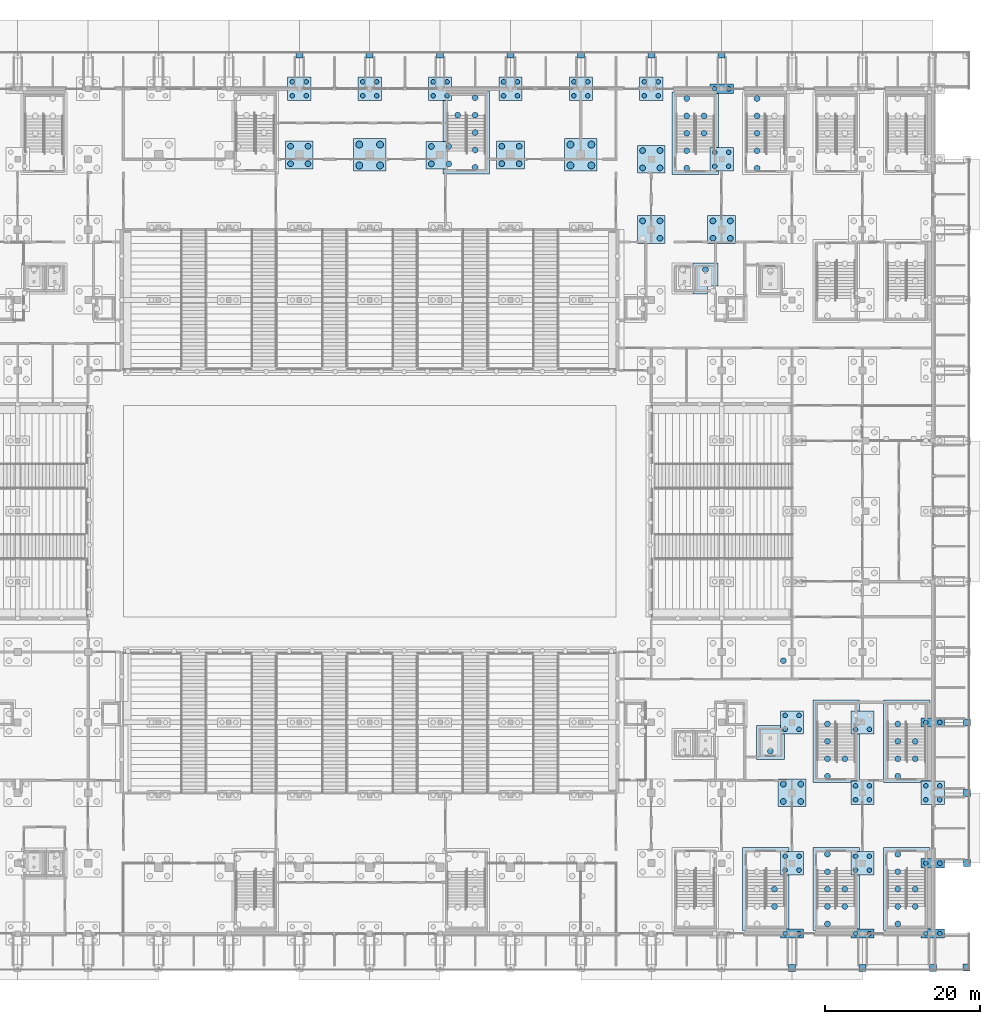
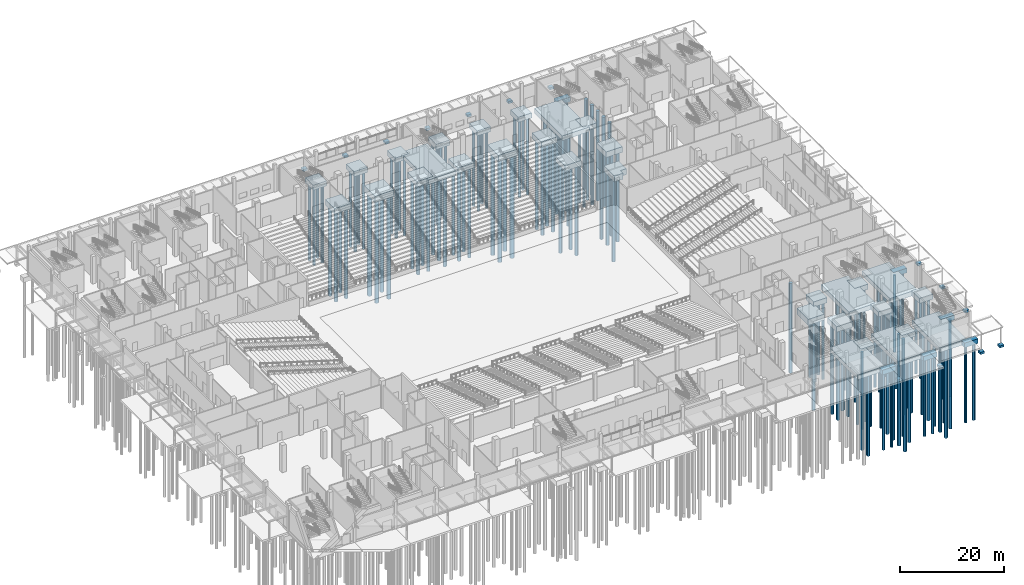
# One storey, part 5 of 129: 145 piles, 51 footings.
"""IFC4 building model written with IfcOpenShell, lengths in metres."""

from ifc_helpers import new_model, si_unit, direction, frame, origin, origin_2d, place, context, subcontext, project, spatial, polyline, rectangle, circle, outline, extrude, material, material_profile, profile_set, type_object, element, save


model = new_model("IFC4")

# Units and contexts
model_context = context("Model", 3, precision=1e-05, world=origin(), true_north=direction((0.0, 1.0)))
body_context = subcontext(model_context, "Body", "Model", "MODEL_VIEW")
ifc_project = project(units=[si_unit("LENGTHUNIT", "METRE"), si_unit("AREAUNIT", "SQUARE_METRE"), si_unit("VOLUMEUNIT", "CUBIC_METRE"), si_unit("PLANEANGLEUNIT", "RADIAN"), si_unit("MASSUNIT", "GRAM", prefix="KILO")], contexts=[model_context])

# Site, building, storey
site_placement = place(None, origin())
site = spatial("IfcSite", under=ifc_project, at=site_placement, CompositionType="ELEMENT")
building_placement = place(site_placement, origin())
building = spatial("IfcBuilding", under=site, at=building_placement, Name="Shirokan Park Arena", CompositionType="ELEMENT")
storey_placement = place(building_placement, origin())
storey = spatial("IfcBuildingStorey", under=building, at=storey_placement, Name="L00", CompositionType="ELEMENT", Elevation=0.0)

# Piles
ifc_material = material(Name="Concrete C30", Category="concrete")
ifc_material_profile_1 = material_profile(ifc_material, circle(Radius=0.300048828125, at=origin_2d()), Name="D600")
ifc_profile_set_1 = profile_set([ifc_material_profile_1], Name="Concrete C30")
pile_type_1 = type_object("IfcPileType", Name="Bored pile 600", PredefinedType="BORED", material=ifc_profile_set_1)
for number, where, z_axis, x_axis, name in (
    (1, (62.800048828125, 108.300048828125, -1.60009765625), (0.0, 0.0, -1.0), (1.0, 0.0, 0.0), "Bored pile 8N 1"),
    (2, (62.800048828125, 110.10009765625, -1.60009765625), (0.0, 0.0, -1.0), (1.0, 0.0, 0.0), "Bored pile 8N 2"),
    (3, (64.60009765625, 108.300048828125, -1.60009765625), (0.0, 0.0, -1.0), (1.0, 0.0, 0.0), "Bored pile 8N 3"),
    (4, (64.60009765625, 110.10009765625, -1.60009765625), (0.0, 0.0, -1.0), (1.0, 0.0, 0.0), "Bored pile 8N 4"),
    (5, (71.89990234375, 108.300048828125, -1.60009765625), (0.0, 0.0, -1.0), (1.0, 0.0, 0.0), "Bored pile 9N 1"),
    (6, (71.89990234375, 110.10009765625, -1.60009765625), (0.0, 0.0, -1.0), (1.0, 0.0, 0.0), "Bored pile 9N 2"),
    (7, (73.699951171875, 108.300048828125, -1.60009765625), (0.0, 0.0, -1.0), (1.0, 0.0, 0.0), "Bored pile 9N 3"),
    (8, (73.699951171875, 110.10009765625, -1.60009765625), (0.0, 0.0, -1.0), (1.0, 0.0, 0.0), "Bored pile 9N 4"),
    (9, (81.0, 108.300048828125, -1.60009765625), (0.0, 0.0, -1.0), (1.0, 0.0, 0.0), "Bored pile 10N 1"),
    (10, (81.0, 110.10009765625, -1.60009765625), (0.0, 0.0, -1.0), (1.0, 0.0, 0.0), "Bored pile 10N 2"),
    (11, (82.800048828125, 108.300048828125, -1.60009765625), (0.0, 0.0, -1.0), (1.0, 0.0, 0.0), "Bored pile 10N 3"),
    (12, (82.800048828125, 110.10009765625, -1.60009765625), (0.0, 0.0, -1.0), (1.0, 0.0, 0.0), "Bored pile 10N 4"),
    (13, (90.10009765625, 108.300048828125, -1.60009765625), (0.0, 0.0, -1.0), (1.0, 0.0, 0.0), "Bored pile 11N 1"),
    (14, (90.10009765625, 110.10009765625, -1.60009765625), (0.0, 0.0, -1.0), (1.0, 0.0, 0.0), "Bored pile 11N 2"),
    (15, (91.89990234375, 108.300048828125, -1.60009765625), (0.0, 0.0, -1.0), (1.0, 0.0, 0.0), "Bored pile 11N 3"),
    (16, (91.89990234375, 110.10009765625, -1.60009765625), (0.0, 0.0, -1.0), (1.0, 0.0, 0.0), "Bored pile 11N 4"),
    (17, (99.199951171875, 108.300048828125, -1.60009765625), (0.0, 0.0, -1.0), (1.0, 0.0, 0.0), "Bored pile 12N 1"),
    (18, (99.199951171875, 110.10009765625, -1.60009765625), (0.0, 0.0, -1.0), (1.0, 0.0, 0.0), "Bored pile 12N 2"),
    (19, (101.0, 108.300048828125, -1.60009765625), (0.0, 0.0, -1.0), (1.0, 0.0, 0.0), "Bored pile 12N 3"),
    (20, (101.0, 110.10009765625, -1.60009765625), (0.0, 0.0, -1.0), (1.0, 0.0, 0.0), "Bored pile 12N 4"),
    (21, (108.300048828125, 108.300048828125, -1.60009765625), (0.0, 0.0, -1.0), (1.0, 0.0, 0.0), "Bored pile 13N 1"),
    (22, (108.300048828125, 110.10009765625, -1.60009765625), (0.0, 0.0, -1.0), (1.0, 0.0, 0.0), "Bored pile 13N 2"),
    (23, (110.10009765625, 108.300048828125, -1.60009765625), (0.0, 0.0, -1.0), (1.0, 0.0, 0.0), "Bored pile 13N 3"),
    (24, (110.10009765625, 110.10009765625, -1.60009765625), (0.0, 0.0, -1.0), (1.0, 0.0, 0.0), "Bored pile 13N 4"),
    (25, (117.39990234375, 99.199951171875, -1.60009765625), (0.0, 0.0, -1.0), (1.0, 0.0, 0.0), "Bored pile 14M 1"),
    (26, (117.39990234375, 101.0, -1.60009765625), (0.0, 0.0, -1.0), (1.0, 0.0, 0.0), "Bored pile 14M 2"),
    (27, (119.199951171875, 99.199951171875, -1.60009765625), (0.0, 0.0, -1.0), (1.0, 0.0, 0.0), "Bored pile 14M 3"),
    (28, (119.199951171875, 101.0, -1.60009765625), (0.0, 0.0, -1.0), (1.0, 0.0, 0.0), "Bored pile 14M 4"),
    (29, (117.39990234375, 109.199951171875, -1.5), (0.0, 0.0, -1.0), (1.0, 0.0, 0.0), "Bored pile 14N 1"),
    (30, (119.199951171875, 109.199951171875, -1.5), (0.0, 0.0, -1.0), (1.0, 0.0, 0.0), "Bored pile 14N 2"),
    (31, (126.5, 0.0, -1.5), (0.0, 0.0, -1.0), (1.0, 0.0, 0.0), "Bored pile 15A 1"),
    (32, (128.300048828125, 0.0, -1.5), (0.0, 0.0, -1.0), (1.0, 0.0, 0.0), "Bored pile 15A 2"),
    (33, (126.5, 8.199951171875, -1.60009765625), (0.0, 0.0, -1.0), (1.0, 0.0, 0.0), "Bored pile 15B 1"),
    (34, (126.5, 10.0, -1.60009765625), (0.0, 0.0, -1.0), (1.0, 0.0, 0.0), "Bored pile 15B 2"),
    (35, (128.300048828125, 8.199951171875, -1.60009765625), (0.0, 0.0, -1.0), (1.0, 0.0, 0.0), "Bored pile 15B 3"),
    (36, (128.300048828125, 10.0, -1.60009765625), (0.0, 0.0, -1.0), (1.0, 0.0, 0.0), "Bored pile 15B 4"),
    (37, (126.5, 26.39990234375, -1.60009765625), (0.0, 0.0, -1.0), (1.0, 0.0, 0.0), "Bored pile 15D 1"),
    (38, (126.5, 28.199951171875, -1.60009765625), (0.0, 0.0, -1.0), (1.0, 0.0, 0.0), "Bored pile 15D 2"),
    (39, (128.300048828125, 26.39990234375, -1.60009765625), (0.0, 0.0, -1.0), (1.0, 0.0, 0.0), "Bored pile 15D 3"),
    (40, (128.300048828125, 28.199951171875, -1.60009765625), (0.0, 0.0, -1.0), (1.0, 0.0, 0.0), "Bored pile 15D 4"),
    (41, (135.60009765625, 0.0, -1.5), (0.0, 0.0, -1.0), (1.0, 0.0, 0.0), "Bored pile 16A 1"),
    (42, (137.39990234375, 0.0, -1.5), (0.0, 0.0, -1.0), (1.0, 0.0, 0.0), "Bored pile 16A 2"),
    (43, (135.60009765625, 8.199951171875, -1.60009765625), (0.0, 0.0, -1.0), (1.0, 0.0, 0.0), "Bored pile 16B 1"),
    (44, (135.60009765625, 10.0, -1.60009765625), (0.0, 0.0, -1.0), (1.0, 0.0, 0.0), "Bored pile 16B 2"),
    (45, (137.39990234375, 8.199951171875, -1.60009765625), (0.0, 0.0, -1.0), (1.0, 0.0, 0.0), "Bored pile 16B 3"),
    (46, (137.39990234375, 10.0, -1.60009765625), (0.0, 0.0, -1.0), (1.0, 0.0, 0.0), "Bored pile 16B 4"),
    (47, (135.60009765625, 17.300048828125, -1.60009765625), (0.0, 0.0, -1.0), (1.0, 0.0, 0.0), "Bored pile 16C 1"),
    (48, (135.60009765625, 19.10009765625, -1.60009765625), (0.0, 0.0, -1.0), (1.0, 0.0, 0.0), "Bored pile 16C 2"),
    (49, (137.39990234375, 17.300048828125, -1.60009765625), (0.0, 0.0, -1.0), (1.0, 0.0, 0.0), "Bored pile 16C 3"),
    (50, (137.39990234375, 19.10009765625, -1.60009765625), (0.0, 0.0, -1.0), (1.0, 0.0, 0.0), "Bored pile 16C 4"),
    (51, (135.60009765625, 26.39990234375, -1.60009765625), (0.0, 0.0, -1.0), (1.0, 0.0, 0.0), "Bored pile 16D 1"),
    (52, (137.39990234375, 26.39990234375, -1.60009765625), (0.0, 0.0, -1.0), (1.0, 0.0, 0.0), "Bored pile 16D 3"),
    (53, (144.699951171875, 0.0, -1.5), (0.0, 0.0, -1.0), (1.0, 0.0, 0.0), "Bored pile 17A 1"),
    (54, (146.5, 0.0, -1.5), (0.0, 0.0, -1.0), (1.0, 0.0, 0.0), "Bored pile 17A 2"),
    (55, (144.699951171875, 9.10009765625, -1.5), (0.0, 0.0, -1.0), (1.0, 0.0, 0.0), "Bored pile 17B 1"),
    (56, (146.5, 9.10009765625, -1.5), (0.0, 0.0, -1.0), (1.0, 0.0, 0.0), "Bored pile 17B 2"),
    (57, (144.699951171875, 17.300048828125, -1.60009765625), (0.0, 0.0, -1.0), (1.0, 0.0, 0.0), "Bored pile 17C 1"),
    (58, (144.699951171875, 19.10009765625, -1.60009765625), (0.0, 0.0, -1.0), (1.0, 0.0, 0.0), "Bored pile 17C 2"),
    (59, (146.5, 17.300048828125, -1.60009765625), (0.0, 0.0, -1.0), (1.0, 0.0, 0.0), "Bored pile 17C 3"),
    (60, (146.5, 19.10009765625, -1.60009765625), (0.0, 0.0, -1.0), (1.0, 0.0, 0.0), "Bored pile 17C 4"),
    (61, (144.699951171875, 27.300048828125, -1.5), (0.0, 0.0, -1.0), (1.0, 0.0, 0.0), "Bored pile 17D 1"),
    (62, (146.5, 27.300048828125, -1.5), (0.0, 0.0, -1.0), (1.0, 0.0, 0.0), "Bored pile 17D 2"),
):
    element("IfcPile", number, at=place(storey_placement, frame(where, z_axis=z_axis, x_axis=x_axis)), inside=storey, type_object=pile_type_1, Name=name, PredefinedType="BORED", context=body_context, shape_type="SweptSolid", body=[
        extrude(circle(Radius=0.300048828125, at=origin_2d()), origin(), (0.0, 0.0, 1.0), 18.0),
    ])
ifc_material_profile_2 = material_profile(ifc_material, circle(Radius=0.375, at=origin_2d()), Name="D750")
ifc_profile_set_2 = profile_set([ifc_material_profile_2], Name="Concrete C30")
pile_type_2 = type_object("IfcPileType", Name="Bored pile 750", PredefinedType="BORED", material=ifc_profile_set_2)
for number, where, z_axis, x_axis, name in (
    (63, (62.574951171875, 99.52490234375, -1.699951171875), (0.0, 0.0, -1.0), (1.0, 0.0, 0.0), "Bored pile 8M 1"),
    (64, (62.574951171875, 101.77490234375, -1.699951171875), (0.0, 0.0, -1.0), (1.0, 0.0, 0.0), "Bored pile 8M 2"),
    (65, (64.824951171875, 99.52490234375, -1.699951171875), (0.0, 0.0, -1.0), (1.0, 0.0, 0.0), "Bored pile 8M 3"),
    (66, (64.824951171875, 101.77490234375, -1.699951171875), (0.0, 0.0, -1.0), (1.0, 0.0, 0.0), "Bored pile 8M 4"),
    (67, (80.77490234375, 99.5, -1.699951171875), (0.0, 0.0, -1.0), (1.0, 0.0, 0.0), "Bored pile 10M 1"),
    (68, (80.77490234375, 101.75, -1.699951171875), (0.0, 0.0, -1.0), (1.0, 0.0, 0.0), "Bored pile 10M 2"),
    (69, (83.02490234375, 99.5, -1.699951171875), (0.0, 0.0, -1.0), (1.0, 0.0, 0.0), "Bored pile 10M 3"),
    (70, (83.02490234375, 101.75, -1.699951171875), (0.0, 0.0, -1.0), (1.0, 0.0, 0.0), "Bored pile 10M 4"),
    (71, (89.875, 99.52490234375, -1.699951171875), (0.0, 0.0, -1.0), (1.0, 0.0, 0.0), "Bored pile 11M 1"),
    (72, (89.875, 101.77490234375, -1.699951171875), (0.0, 0.0, -1.0), (1.0, 0.0, 0.0), "Bored pile 11M 2"),
    (73, (92.125, 99.52490234375, -1.699951171875), (0.0, 0.0, -1.0), (1.0, 0.0, 0.0), "Bored pile 11M 3"),
    (74, (92.125, 101.77490234375, -1.699951171875), (0.0, 0.0, -1.0), (1.0, 0.0, 0.0), "Bored pile 11M 4"),
    (75, (108.074951171875, 92.125, -1.699951171875), (0.0, 0.0, -1.0), (1.0, 0.0, 0.0), "Bored pile 13L 2"),
    (76, (110.324951171875, 89.875, -1.699951171875), (0.0, 0.0, -1.0), (1.0, 0.0, 0.0), "Bored pile 13L 3"),
    (77, (110.324951171875, 92.125, -1.699951171875), (0.0, 0.0, -1.0), (1.0, 0.0, 0.0), "Bored pile 13L 4"),
    (78, (108.074951171875, 98.97509765625, -1.699951171875), (0.0, 0.0, -1.0), (1.0, 0.0, 0.0), "Bored pile 13M 1"),
    (79, (108.074951171875, 101.22509765625, -1.699951171875), (0.0, 0.0, -1.0), (1.0, 0.0, 0.0), "Bored pile 13M 2"),
    (80, (110.324951171875, 98.97509765625, -1.699951171875), (0.0, 0.0, -1.0), (1.0, 0.0, 0.0), "Bored pile 13M 3"),
    (81, (110.324951171875, 101.22509765625, -1.699951171875), (0.0, 0.0, -1.0), (1.0, 0.0, 0.0), "Bored pile 13M 4"),
    (82, (117.175048828125, 89.875, -1.699951171875), (0.0, 0.0, -1.0), (1.0, 0.0, 0.0), "Bored pile 14L 1"),
    (83, (117.175048828125, 92.125, -1.699951171875), (0.0, 0.0, -1.0), (1.0, 0.0, 0.0), "Bored pile 14L 2"),
    (84, (119.425048828125, 89.875, -1.699951171875), (0.0, 0.0, -1.0), (1.0, 0.0, 0.0), "Bored pile 14L 3"),
    (85, (119.425048828125, 92.125, -1.699951171875), (0.0, 0.0, -1.0), (1.0, 0.0, 0.0), "Bored pile 14L 4"),
    (86, (126.27490234375, 17.074951171875, -1.699951171875), (0.0, 0.0, -1.0), (1.0, 0.0, 0.0), "Bored pile 15C 1"),
    (87, (126.27490234375, 19.324951171875, -1.699951171875), (0.0, 0.0, -1.0), (1.0, 0.0, 0.0), "Bored pile 15C 2"),
    (88, (128.52490234375, 17.074951171875, -1.699951171875), (0.0, 0.0, -1.0), (1.0, 0.0, 0.0), "Bored pile 15C 3"),
    (89, (128.52490234375, 19.324951171875, -1.699951171875), (0.0, 0.0, -1.0), (1.0, 0.0, 0.0), "Bored pile 15C 4"),
    (90, (126.27490234375, 35.27490234375, -1.699951171875), (0.0, 0.0, -1.0), (1.0, 0.0, 0.0), "Bored pile 15E 1"),
    (91, (116.199951171875, 85.824951171875, -2.800048828125), (0.0, 0.0, -1.0), (1.0, 0.0, 0.0), "Bored pile Passenger Lift 3.1 1"),
    (92, (124.60009765625, 23.574951171875, -2.800048828125), (0.0, 0.0, -1.0), (1.0, 0.0, 0.0), "Bored pile Service Lift 2 1"),
    (93, (141.074951171875, 1.25, -1.5), (0.0, 0.0, -1.0), (1.0, 0.0, 0.0), "Bored pile Exit Stair 2.A 1"),
    (94, (141.074951171875, 3.5, -1.5), (0.0, 0.0, -1.0), (1.0, 0.0, 0.0), "Bored pile Exit Stair 2.A 2"),
    (95, (141.074951171875, 5.75, -1.5), (0.0, 0.0, -1.0), (1.0, 0.0, 0.0), "Bored pile Exit Stair 2.A 3"),
    (96, (141.074951171875, 8.0, -1.5), (0.0, 0.0, -1.0), (1.0, 0.0, 0.0), "Bored pile Exit Stair 2.A 4"),
    (97, (141.074951171875, 10.25, -1.5), (0.0, 0.0, -1.0), (1.0, 0.0, 0.0), "Bored pile Exit Stair 2.A 5"),
    (98, (143.324951171875, 3.5, -1.5), (0.0, 0.0, -1.0), (1.0, 0.0, 0.0), "Bored pile Exit Stair 2.A 6"),
    (99, (143.324951171875, 5.75, -1.5), (0.0, 0.0, -1.0), (1.0, 0.0, 0.0), "Bored pile Exit Stair 2.A 7"),
    (100, (131.97509765625, 1.25, -1.5), (0.0, 0.0, -1.0), (1.0, 0.0, 0.0), "Bored pile Exit Stair 2.B 1"),
    (101, (131.97509765625, 3.5, -1.5), (0.0, 0.0, -1.0), (1.0, 0.0, 0.0), "Bored pile Exit Stair 2.B 2"),
    (102, (131.97509765625, 5.75, -1.5), (0.0, 0.0, -1.0), (1.0, 0.0, 0.0), "Bored pile Exit Stair 2.B 3"),
    (103, (131.97509765625, 8.0, -1.5), (0.0, 0.0, -1.0), (1.0, 0.0, 0.0), "Bored pile Exit Stair 2.B 4"),
    (104, (131.97509765625, 10.25, -1.5), (0.0, 0.0, -1.0), (1.0, 0.0, 0.0), "Bored pile Exit Stair 2.B 5"),
    (105, (134.22509765625, 3.5, -1.5), (0.0, 0.0, -1.0), (1.0, 0.0, 0.0), "Bored pile Exit Stair 2.B 6"),
    (106, (134.22509765625, 5.75, -1.5), (0.0, 0.0, -1.0), (1.0, 0.0, 0.0), "Bored pile Exit Stair 2.B 7"),
    (107, (125.125, 3.5, -1.5), (0.0, 0.0, -1.0), (1.0, 0.0, 0.0), "Bored pile Exit Stair 2.C 6"),
    (108, (125.125, 5.75, -1.5), (0.0, 0.0, -1.0), (1.0, 0.0, 0.0), "Bored pile Exit Stair 2.C 7"),
    (109, (141.074951171875, 20.35009765625, -1.5), (0.0, 0.0, -1.0), (1.0, 0.0, 0.0), "Bored pile Exit Stair 2.E 1"),
    (110, (141.074951171875, 22.60009765625, -1.5), (0.0, 0.0, -1.0), (1.0, 0.0, 0.0), "Bored pile Exit Stair 2.E 2"),
    (111, (141.074951171875, 24.85009765625, -1.5), (0.0, 0.0, -1.0), (1.0, 0.0, 0.0), "Bored pile Exit Stair 2.E 3"),
    (112, (141.074951171875, 27.10009765625, -1.5), (0.0, 0.0, -1.0), (1.0, 0.0, 0.0), "Bored pile Exit Stair 2.E 4"),
    (113, (143.324951171875, 22.60009765625, -1.5), (0.0, 0.0, -1.0), (1.0, 0.0, 0.0), "Bored pile Exit Stair 2.E 6"),
    (114, (143.324951171875, 24.85009765625, -1.5), (0.0, 0.0, -1.0), (1.0, 0.0, 0.0), "Bored pile Exit Stair 2.E 7"),
    (115, (131.97509765625, 20.35009765625, -1.5), (0.0, 0.0, -1.0), (1.0, 0.0, 0.0), "Bored pile Exit Stair 2.F 1"),
    (116, (131.97509765625, 22.60009765625, -1.5), (0.0, 0.0, -1.0), (1.0, 0.0, 0.0), "Bored pile Exit Stair 2.F 2"),
    (117, (131.97509765625, 24.85009765625, -1.5), (0.0, 0.0, -1.0), (1.0, 0.0, 0.0), "Bored pile Exit Stair 2.F 3"),
    (118, (131.97509765625, 27.10009765625, -1.5), (0.0, 0.0, -1.0), (1.0, 0.0, 0.0), "Bored pile Exit Stair 2.F 4"),
    (119, (134.22509765625, 22.60009765625, -1.5), (0.0, 0.0, -1.0), (1.0, 0.0, 0.0), "Bored pile Exit Stair 2.F 6"),
    (120, (122.875, 98.949951171875, -1.5), (0.0, 0.0, -1.0), (1.0, 0.0, 0.0), "Bored pile Exit Stair 3.C 1"),
    (121, (122.875, 101.199951171875, -1.5), (0.0, 0.0, -1.0), (1.0, 0.0, 0.0), "Bored pile Exit Stair 3.C 2"),
    (122, (122.875, 103.449951171875, -1.5), (0.0, 0.0, -1.0), (1.0, 0.0, 0.0), "Bored pile Exit Stair 3.C 3"),
    (123, (122.875, 105.699951171875, -1.5), (0.0, 0.0, -1.0), (1.0, 0.0, 0.0), "Bored pile Exit Stair 3.C 4"),
    (124, (122.875, 107.949951171875, -1.5), (0.0, 0.0, -1.0), (1.0, 0.0, 0.0), "Bored pile Exit Stair 3.C 5"),
    (125, (113.77490234375, 98.949951171875, -1.5), (0.0, 0.0, -1.0), (1.0, 0.0, 0.0), "Bored pile Exit Stair 3.D 1"),
    (126, (113.77490234375, 101.199951171875, -1.5), (0.0, 0.0, -1.0), (1.0, 0.0, 0.0), "Bored pile Exit Stair 3.D 2"),
    (127, (113.77490234375, 103.449951171875, -1.5), (0.0, 0.0, -1.0), (1.0, 0.0, 0.0), "Bored pile Exit Stair 3.D 3"),
    (128, (113.77490234375, 105.699951171875, -1.5), (0.0, 0.0, -1.0), (1.0, 0.0, 0.0), "Bored pile Exit Stair 3.D 4"),
    (129, (113.77490234375, 107.949951171875, -1.5), (0.0, 0.0, -1.0), (1.0, 0.0, 0.0), "Bored pile Exit Stair 3.D 5"),
    (130, (116.02490234375, 103.449951171875, -1.5), (0.0, 0.0, -1.0), (1.0, 0.0, 0.0), "Bored pile Exit Stair 3.D 6"),
    (131, (116.02490234375, 105.699951171875, -1.5), (0.0, 0.0, -1.0), (1.0, 0.0, 0.0), "Bored pile Exit Stair 3.D 7"),
    (132, (84.175048828125, 105.800048828125, -1.5), (0.0, 0.0, -1.0), (1.0, 0.0, 0.0), "Bored pile Entrance Stair E4.2 1"),
    (133, (86.425048828125, 99.050048828125, -1.5), (0.0, 0.0, -1.0), (1.0, 0.0, 0.0), "Bored pile Entrance Stair E4.2 2"),
    (134, (86.425048828125, 101.300048828125, -1.5), (0.0, 0.0, -1.0), (1.0, 0.0, 0.0), "Bored pile Entrance Stair E4.2 3"),
    (135, (86.425048828125, 103.550048828125, -1.5), (0.0, 0.0, -1.0), (1.0, 0.0, 0.0), "Bored pile Entrance Stair E4.2 4"),
    (136, (86.425048828125, 105.800048828125, -1.5), (0.0, 0.0, -1.0), (1.0, 0.0, 0.0), "Bored pile Entrance Stair E4.2 5"),
    (137, (86.425048828125, 108.050048828125, -1.5), (0.0, 0.0, -1.0), (1.0, 0.0, 0.0), "Bored pile Entrance Stair E4.2 6"),
):
    element("IfcPile", number, at=place(storey_placement, frame(where, z_axis=z_axis, x_axis=x_axis)), inside=storey, type_object=pile_type_2, Name=name, PredefinedType="BORED", context=body_context, shape_type="SweptSolid", body=[
        extrude(circle(Radius=0.375, at=origin_2d()), origin(), (0.0, 0.0, 1.0), 21.0),
    ])
ifc_material_profile_3 = material_profile(ifc_material, circle(Radius=0.449951171875, at=origin_2d()), Name="D900")
ifc_profile_set_3 = profile_set([ifc_material_profile_3], Name="Concrete C30")
pile_type_3 = type_object("IfcPileType", Name="Bored pile 900", PredefinedType="BORED", material=ifc_profile_set_3)
for number, where, z_axis, x_axis, name in (
    (138, (71.449951171875, 99.300048828125, -1.89990234375), (0.0, 0.0, -1.0), (1.0, 0.0, 0.0), "Bored pile 9M 1"),
    (139, (71.449951171875, 102.0, -1.89990234375), (0.0, 0.0, -1.0), (1.0, 0.0, 0.0), "Bored pile 9M 2"),
    (140, (74.14990234375, 99.300048828125, -1.89990234375), (0.0, 0.0, -1.0), (1.0, 0.0, 0.0), "Bored pile 9M 3"),
    (141, (74.14990234375, 102.0, -1.89990234375), (0.0, 0.0, -1.0), (1.0, 0.0, 0.0), "Bored pile 9M 4"),
    (142, (98.75, 99.300048828125, -1.89990234375), (0.0, 0.0, -1.0), (1.0, 0.0, 0.0), "Bored pile 12M 1"),
    (143, (98.75, 102.0, -1.89990234375), (0.0, 0.0, -1.0), (1.0, 0.0, 0.0), "Bored pile 12M 2"),
    (144, (101.449951171875, 99.300048828125, -1.89990234375), (0.0, 0.0, -1.0), (1.0, 0.0, 0.0), "Bored pile 12M 3"),
    (145, (101.449951171875, 102.0, -1.89990234375), (0.0, 0.0, -1.0), (1.0, 0.0, 0.0), "Bored pile 12M 4"),
):
    element("IfcPile", number, at=place(storey_placement, frame(where, z_axis=z_axis, x_axis=x_axis)), inside=storey, type_object=pile_type_3, Name=name, PredefinedType="BORED", context=body_context, shape_type="SweptSolid", body=[
        extrude(circle(Radius=0.449951171875, at=origin_2d()), origin(), (0.0, 0.0, 1.0), 24.0),
    ])

# Footings
footing_type_1 = type_object("IfcFootingType", Name="Pad footing 900x900x500", PredefinedType="PAD_FOOTING", material=ifc_material)
for number, where, z_axis, x_axis, name in (
    (146, (150.02490234375, 9.10009765625, -0.89990234375), (0.0, 0.0, 1.0), (1.0, 0.0, 0.0), "Pad footing east grid 2"),
    (147, (150.02490234375, 18.199951171875, -0.89990234375), (0.0, 0.0, 1.0), (1.0, 0.0, 0.0), "Pad footing east grid 3"),
    (148, (150.02490234375, 27.300048828125, -0.89990234375), (0.0, 0.0, 1.0), (1.0, 0.0, 0.0), "Pad footing east grid 4"),
    (149, (118.300048828125, 113.625, -0.89990234375), (0.0, 0.0, 1.0), (1.0, 0.0, 0.0), "Pad footing north grid 4"),
    (150, (109.199951171875, 113.625, -0.89990234375), (0.0, 0.0, 1.0), (1.0, 0.0, 0.0), "Pad footing north grid 5"),
    (151, (100.10009765625, 113.625, -0.89990234375), (0.0, 0.0, 1.0), (1.0, 0.0, 0.0), "Pad footing north grid 6"),
    (152, (91.0, 113.625, -0.89990234375), (0.0, 0.0, 1.0), (1.0, 0.0, 0.0), "Pad footing north grid 7"),
    (153, (81.89990234375, 113.625, -0.89990234375), (0.0, 0.0, 1.0), (1.0, 0.0, 0.0), "Pad footing north grid 8"),
    (154, (72.800048828125, 113.625, -0.89990234375), (0.0, 0.0, 1.0), (1.0, 0.0, 0.0), "Pad footing north grid 9"),
    (155, (63.699951171875, 113.625, -0.89990234375), (0.0, 0.0, 1.0), (1.0, 0.0, 0.0), "Pad footing north grid 10"),
    (156, (127.39990234375, -4.425048828125, -0.89990234375), (0.0, 0.0, 1.0), (1.0, 0.0, 0.0), "Pad footing south grid 15"),
    (157, (136.5, -4.425048828125, -0.89990234375), (0.0, 0.0, 1.0), (1.0, 0.0, 0.0), "Pad footing south grid 16"),
    (158, (145.60009765625, -4.425048828125, -0.89990234375), (0.0, 0.0, 1.0), (1.0, 0.0, 0.0), "Pad footing south grid 17"),
    (159, (149.97509765625, -4.375, -0.89990234375), (0.0, 0.0, 1.0), (1.0, 0.0, 0.0), "Pad footing SE corner"),
):
    element("IfcFooting", number, at=place(storey_placement, frame(where, z_axis=z_axis, x_axis=x_axis)), inside=storey, type_object=footing_type_1, Name=name, PredefinedType="PAD_FOOTING", context=body_context, shape_type="SweptSolid", body=[
        extrude(rectangle(XDim=0.89990234375, YDim=0.89990234375, at=origin_2d()), origin(), (0.0, 0.0, 1.0), 0.5),
    ])
footing_type_2 = type_object("IfcFootingType", Name="Pile cap 2-pile 3000x1200x1100", PredefinedType="PILE_CAP", material=ifc_material)
for number, where, z_axis, x_axis, name in (
    (160, (118.300048828125, 109.199951171875, -1.5), (0.0, 0.0, 1.0), (1.0, 0.0, 0.0), "Pile cap 14N"),
    (161, (127.39990234375, 0.0, -1.5), (0.0, 0.0, 1.0), (1.0, 0.0, 0.0), "Pile cap 15A"),
    (162, (136.5, 0.0, -1.5), (0.0, 0.0, 1.0), (1.0, 0.0, 0.0), "Pile cap 16A"),
    (163, (145.60009765625, 0.0, -1.5), (0.0, 0.0, 1.0), (1.0, 0.0, 0.0), "Pile cap 17A"),
    (164, (145.60009765625, 9.10009765625, -1.5), (0.0, 0.0, 1.0), (1.0, 0.0, 0.0), "Pile cap 17B"),
    (165, (145.60009765625, 27.300048828125, -1.5), (0.0, 0.0, 1.0), (1.0, 0.0, 0.0), "Pile cap 17D"),
):
    element("IfcFooting", number, at=place(storey_placement, frame(where, z_axis=z_axis, x_axis=x_axis)), inside=storey, type_object=footing_type_2, Name=name, PredefinedType="PILE_CAP", context=body_context, shape_type="SweptSolid", body=[
        extrude(rectangle(XDim=3.0, YDim=1.199951171875, at=origin_2d()), origin(), (0.0, 0.0, 1.0), 1.10009765625),
    ])
footing_type_3 = type_object("IfcFootingType", Name="Pile cap 4-pile 3000x3000x1200", PredefinedType="PILE_CAP", material=ifc_material)
for number, where, z_axis, x_axis, name in (
    (166, (63.699951171875, 109.199951171875, -1.60009765625), (0.0, 0.0, 1.0), (1.0, 0.0, 0.0), "Pile cap 8N"),
    (167, (72.800048828125, 109.199951171875, -1.60009765625), (0.0, 0.0, 1.0), (1.0, 0.0, 0.0), "Pile cap 9N"),
    (168, (81.89990234375, 109.199951171875, -1.60009765625), (0.0, 0.0, 1.0), (1.0, 0.0, 0.0), "Pile cap 10N"),
    (169, (91.0, 109.199951171875, -1.60009765625), (0.0, 0.0, 1.0), (1.0, 0.0, 0.0), "Pile cap 11N"),
    (170, (100.10009765625, 109.199951171875, -1.60009765625), (0.0, 0.0, 1.0), (1.0, 0.0, 0.0), "Pile cap 12N"),
    (171, (109.199951171875, 109.199951171875, -1.60009765625), (0.0, 0.0, 1.0), (1.0, 0.0, 0.0), "Pile cap 13N"),
    (172, (118.300048828125, 100.10009765625, -1.60009765625), (0.0, 0.0, 1.0), (1.0, 0.0, 0.0), "Pile cap 14M"),
    (173, (127.39990234375, 9.10009765625, -1.60009765625), (0.0, 0.0, 1.0), (1.0, 0.0, 0.0), "Pile cap 15B"),
    (174, (127.39990234375, 27.300048828125, -1.60009765625), (0.0, 0.0, 1.0), (1.0, 0.0, 0.0), "Pile cap 15D"),
    (175, (136.5, 9.10009765625, -1.60009765625), (0.0, 0.0, 1.0), (1.0, 0.0, 0.0), "Pile cap 16B"),
    (176, (136.5, 18.199951171875, -1.60009765625), (0.0, 0.0, 1.0), (1.0, 0.0, 0.0), "Pile cap 16C"),
    (177, (136.5, 27.300048828125, -1.60009765625), (0.0, 0.0, 1.0), (1.0, 0.0, 0.0), "Pile cap 16D"),
    (178, (145.60009765625, 18.199951171875, -1.60009765625), (0.0, 0.0, 1.0), (1.0, 0.0, 0.0), "Pile cap 17C"),
):
    element("IfcFooting", number, at=place(storey_placement, frame(where, z_axis=z_axis, x_axis=x_axis)), inside=storey, type_object=footing_type_3, Name=name, PredefinedType="PILE_CAP", context=body_context, shape_type="SweptSolid", body=[
        extrude(rectangle(XDim=3.0, YDim=3.0, at=origin_2d()), origin(), (0.0, 0.0, 1.0), 1.199951171875),
    ])
footing_type_4 = type_object("IfcFootingType", Name="Pile cap 4-pile 3600x3600x1300", PredefinedType="PILE_CAP", material=ifc_material)
for number, where, z_axis, x_axis, name in (
    (179, (63.699951171875, 100.64990234375, -1.7001953125), (0.0, 0.0, 1.0), (1.0, 0.0, 0.0), "Pile cap 8M"),
    (180, (81.89990234375, 100.625, -1.7001953125), (0.0, 0.0, 1.0), (1.0, 0.0, 0.0), "Pile cap 10M"),
    (181, (91.0, 100.64990234375, -1.7001953125), (0.0, 0.0, 1.0), (1.0, 0.0, 0.0), "Pile cap 11M"),
    (182, (109.199951171875, 91.0, -1.7001953125), (0.0, 0.0, 1.0), (1.0, 0.0, 0.0), "Pile cap 13L"),
    (183, (109.199951171875, 100.10009765625, -1.7001953125), (0.0, 0.0, 1.0), (1.0, 0.0, 0.0), "Pile cap 13M"),
    (184, (118.300048828125, 91.0, -1.7001953125), (0.0, 0.0, 1.0), (1.0, 0.0, 0.0), "Pile cap 14L"),
    (185, (127.39990234375, 18.199951171875, -1.7001953125), (0.0, 0.0, 1.0), (1.0, 0.0, 0.0), "Pile cap 15C"),
):
    element("IfcFooting", number, at=place(storey_placement, frame(where, z_axis=z_axis, x_axis=x_axis)), inside=storey, type_object=footing_type_4, Name=name, PredefinedType="PILE_CAP", context=body_context, shape_type="SweptSolid", body=[
        extrude(rectangle(XDim=3.60009765625, YDim=3.60009765625, at=origin_2d()), origin(), (0.0, 0.0, 1.0), 1.300048828125),
    ])
footing_type_5 = type_object("IfcFootingType", Name="Pile cap 4-pile 4200x4200x1500", PredefinedType="PILE_CAP", material=ifc_material)
for number, where, z_axis, x_axis, name in (
    (186, (72.800048828125, 100.64990234375, -1.89990234375), (0.0, 0.0, 1.0), (1.0, 0.0, 0.0), "Pile cap 9M"),
    (187, (100.10009765625, 100.64990234375, -1.89990234375), (0.0, 0.0, 1.0), (1.0, 0.0, 0.0), "Pile cap 12M"),
):
    element("IfcFooting", number, at=place(storey_placement, frame(where, z_axis=z_axis, x_axis=x_axis)), inside=storey, type_object=footing_type_5, Name=name, PredefinedType="PILE_CAP", context=body_context, shape_type="SweptSolid", body=[
        extrude(rectangle(XDim=4.199951171875, YDim=4.199951171875, at=origin_2d()), origin(), (0.0, 0.0, 1.0), 1.5),
    ])
footing_type_6 = type_object("IfcFootingType", Name="Shaft raft 1100", PredefinedType="PILE_CAP", material=ifc_material)
footing_1_placement = place(storey_placement, frame((0.0, 0.0, -1.5)))
element("IfcFooting", 188, at=footing_1_placement, inside=storey, type_object=footing_type_6, Name="Shaft raft Exit Stair 2.A", PredefinedType="PILE_CAP", context=body_context, shape_type="SweptSolid", body=[
    extrude(outline(polyline([(139.199951171875, 11.10009765625), (145.199951171875, 11.10009765625), (145.199951171875, 9.699951171875), (144.10009765625, 9.699951171875), (144.10009765625, 8.5), (145.199951171875, 8.5), (145.199951171875, 0.60009765625), (144.10009765625, 0.60009765625), (144.10009765625, 0.39990234375), (139.199951171875, 0.39990234375), (139.199951171875, 11.10009765625)])), origin(), (0.0, 0.0, 1.0), 1.10009765625),
])
footing_2_placement = place(storey_placement, frame((0.0, 0.0, -1.5)))
element("IfcFooting", 189, at=footing_2_placement, inside=storey, type_object=footing_type_6, Name="Shaft raft Exit Stair 2.B", PredefinedType="PILE_CAP", context=body_context, shape_type="SweptSolid", body=[
    extrude(outline(polyline([(130.10009765625, 0.39990234375), (130.10009765625, 11.10009765625), (136.10009765625, 11.10009765625), (136.10009765625, 10.60009765625), (135.0, 10.60009765625), (135.0, 7.60009765625), (136.10009765625, 7.60009765625), (136.10009765625, 0.60009765625), (135.0, 0.60009765625), (135.0, 0.39990234375), (130.10009765625, 0.39990234375)])), origin(), (0.0, 0.0, 1.0), 1.10009765625),
])
footing_3_placement = place(storey_placement, frame((0.0, 0.0, -1.5)))
element("IfcFooting", 190, at=footing_3_placement, inside=storey, type_object=footing_type_6, Name="Shaft raft Exit Stair 2.C", PredefinedType="PILE_CAP", context=body_context, shape_type="SweptSolid", body=[
    extrude(outline(polyline([(127.0, 10.60009765625), (125.89990234375, 10.60009765625), (125.89990234375, 7.60009765625), (127.0, 7.60009765625), (127.0, 0.60009765625), (125.89990234375, 0.60009765625), (125.89990234375, 0.39990234375), (121.0, 0.39990234375), (121.0, 11.10009765625), (127.0, 11.10009765625), (127.0, 10.60009765625)])), origin(), (0.0, 0.0, 1.0), 1.10009765625),
])
footing_4_placement = place(storey_placement, frame((0.0, 0.0, -1.5)))
element("IfcFooting", 191, at=footing_4_placement, inside=storey, type_object=footing_type_6, Name="Shaft raft Exit Stair 2.E", PredefinedType="PILE_CAP", context=body_context, shape_type="SweptSolid", body=[
    extrude(outline(polyline([(145.199951171875, 19.699951171875), (144.10009765625, 19.699951171875), (144.10009765625, 19.5), (139.199951171875, 19.5), (139.199951171875, 30.199951171875), (145.199951171875, 30.199951171875), (145.199951171875, 27.89990234375), (144.10009765625, 27.89990234375), (144.10009765625, 26.699951171875), (145.199951171875, 26.699951171875), (145.199951171875, 19.699951171875)])), origin(), (0.0, 0.0, 1.0), 1.10009765625),
])
footing_5_placement = place(storey_placement, frame((0.0, 0.0, -1.5)))
element("IfcFooting", 192, at=footing_5_placement, inside=storey, type_object=footing_type_6, Name="Shaft raft Exit Stair 2.F", PredefinedType="PILE_CAP", context=body_context, shape_type="SweptSolid", body=[
    extrude(outline(polyline([(130.10009765625, 19.5), (130.10009765625, 30.199951171875), (136.10009765625, 30.199951171875), (136.10009765625, 28.800048828125), (135.0, 28.800048828125), (135.0, 25.800048828125), (136.10009765625, 25.800048828125), (136.10009765625, 19.699951171875), (135.0, 19.699951171875), (135.0, 19.5), (130.10009765625, 19.5)])), origin(), (0.0, 0.0, 1.0), 1.10009765625),
])
footing_6_placement = place(storey_placement, frame((0.0, 0.0, -1.5)))
element("IfcFooting", 193, at=footing_6_placement, inside=storey, type_object=footing_type_6, Name="Shaft raft Exit Stair 3.D", PredefinedType="PILE_CAP", context=body_context, shape_type="SweptSolid", body=[
    extrude(outline(polyline([(116.800048828125, 108.800048828125), (116.800048828125, 108.60009765625), (117.89990234375, 108.60009765625), (117.89990234375, 101.60009765625), (116.800048828125, 101.60009765625), (116.800048828125, 98.60009765625), (117.89990234375, 98.60009765625), (117.89990234375, 98.10009765625), (111.89990234375, 98.10009765625), (111.89990234375, 108.800048828125), (116.800048828125, 108.800048828125)])), origin(), (0.0, 0.0, 1.0), 1.10009765625),
])
footing_7_placement = place(storey_placement, frame((0.0, 0.0, -1.5)))
element("IfcFooting", 194, at=footing_7_placement, inside=storey, type_object=footing_type_6, Name="Shaft raft Entrance Stair E4.2", PredefinedType="PILE_CAP", context=body_context, shape_type="SweptSolid", body=[
    extrude(outline(polyline([(82.300048828125, 98.199951171875), (82.300048828125, 98.824951171875), (83.699951171875, 98.824951171875), (83.699951171875, 102.425048828125), (82.300048828125, 102.425048828125), (82.300048828125, 107.699951171875), (83.39990234375, 107.699951171875), (83.39990234375, 108.89990234375), (88.300048828125, 108.89990234375), (88.300048828125, 98.199951171875), (82.300048828125, 98.199951171875)])), origin(), (0.0, 0.0, 1.0), 1.10009765625),
])
footing_type_7 = type_object("IfcFootingType", Name="Shaft raft 1400", PredefinedType="PILE_CAP", material=ifc_material)
footing_8_placement = place(storey_placement, frame((0.0, 0.0, -2.800048828125)))
element("IfcFooting", 195, at=footing_8_placement, inside=storey, type_object=footing_type_7, Name="Shaft raft Passenger Lift 3.1", PredefinedType="PILE_CAP", context=body_context, shape_type="SweptSolid", body=[
    extrude(outline(polyline([(117.800048828125, 86.699951171875), (117.800048828125, 83.699951171875), (116.5, 83.699951171875), (116.5, 82.699951171875), (114.60009765625, 82.699951171875), (114.60009765625, 86.699951171875), (117.800048828125, 86.699951171875)])), origin(), (0.0, 0.0, 1.0), 1.400146484375),
])
footing_9_placement = place(storey_placement, frame((0.0, 0.0, -2.800048828125)))
element("IfcFooting", 196, at=footing_9_placement, inside=storey, type_object=footing_type_7, Name="Shaft raft Service Lift 2", PredefinedType="PILE_CAP", context=body_context, shape_type="SweptSolid", body=[
    extrude(outline(polyline([(122.800048828125, 26.89990234375), (125.89990234375, 26.89990234375), (125.89990234375, 25.800048828125), (126.39990234375, 25.800048828125), (126.39990234375, 22.5), (122.800048828125, 22.5), (122.800048828125, 26.89990234375)])), origin(), (0.0, 0.0, 1.0), 1.400146484375),
])

save(model, "model.ifc")
